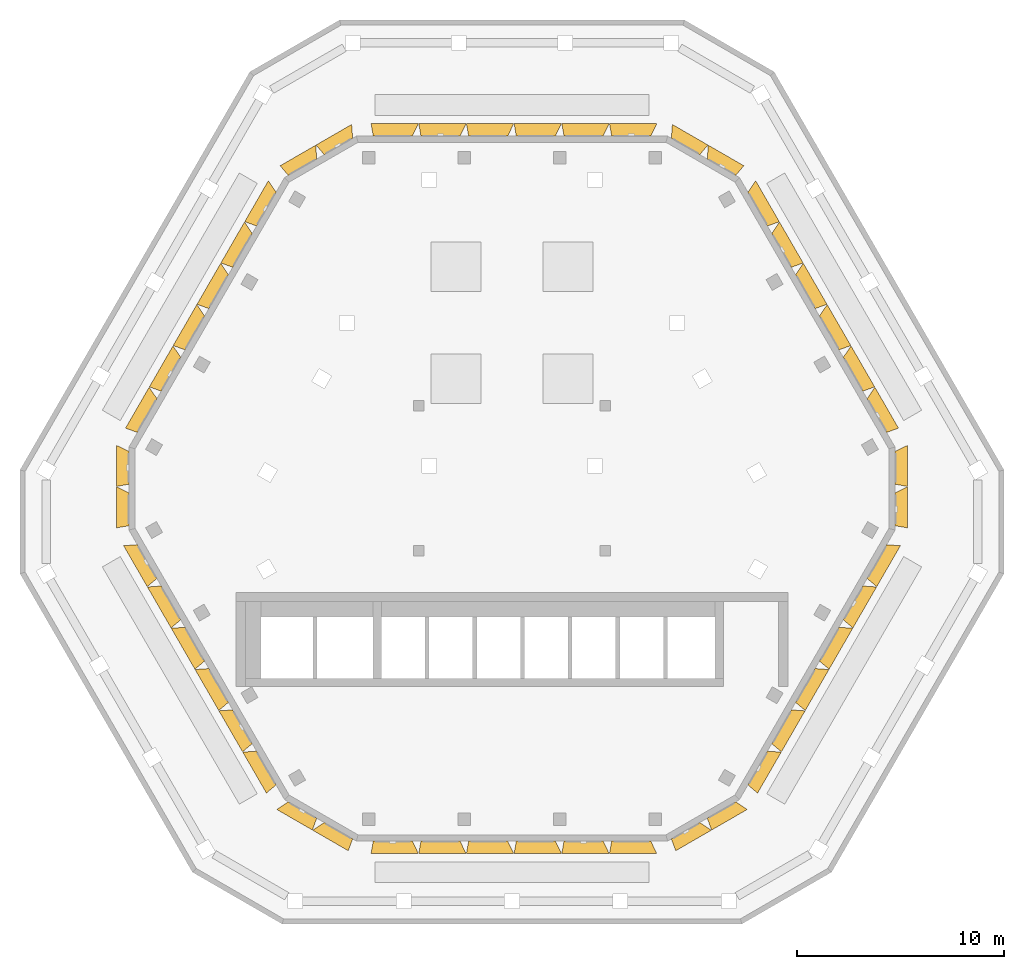
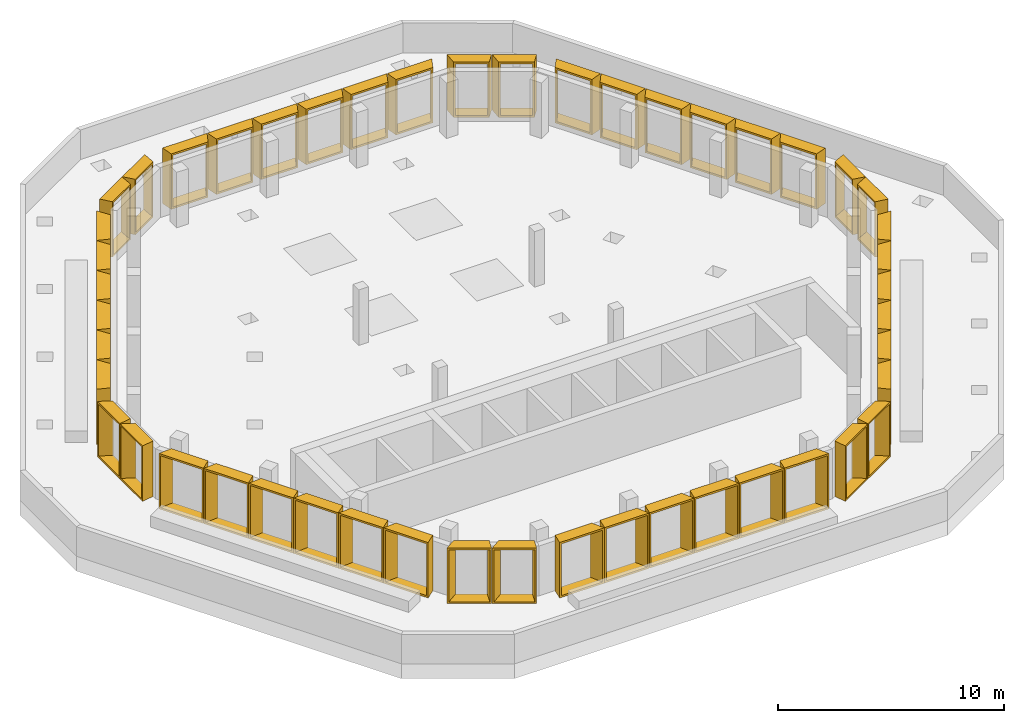
# One storey, part 4 of 5: 48 shading devices.
"""IFC4 building model written with IfcOpenShell, lengths in metres."""

from ifc_helpers import new_model, entity, si_unit, direction, frame, origin, place, context, subcontext, project, spatial, source, transform, mapped, material, type_object, type_shapes, element, save


model = new_model("IFC4")

# Units and contexts
model_context = context("Model", 3, precision=1e-05, world=origin(), true_north=direction((0.0, 1.0)))
body_context = subcontext(model_context, "Body", "Model", "MODEL_VIEW")
ifc_project = project(units=[si_unit("LENGTHUNIT", "METRE"), si_unit("AREAUNIT", "SQUARE_METRE"), si_unit("VOLUMEUNIT", "CUBIC_METRE"), si_unit("PLANEANGLEUNIT", "RADIAN"), si_unit("MASSUNIT", "GRAM", prefix="KILO")], contexts=[model_context])

# Site, building, storey
site_placement = place(None, origin())
site = spatial("IfcSite", under=ifc_project, at=site_placement, CompositionType="ELEMENT")
building_placement = place(site_placement, origin())
building = spatial("IfcBuilding", under=site, at=building_placement, Name="Beryl Residences", CompositionType="ELEMENT")
storey_placement = place(building_placement, frame((0.0, 0.0, 244.800048828125)))
storey = spatial("IfcBuildingStorey", under=building, at=storey_placement, Name="L76", CompositionType="ELEMENT", Elevation=244.800048828125)

# Shading devices
ifc_material_1 = material(Name="Aluminium pale anodised", Category="aluminium")
shading_device_type_1 = type_object("IfcShadingDeviceType", Name="FR200-60B OUTER SKIN frame 600 mm deep, splay 26/10 deg, 2000 x 3000 mm cell", PredefinedType="USERDEFINED", material=ifc_material_1)
cartesian_point_1 = entity("IfcCartesianPoint", [-0.79052734375, 0.0])
cartesian_point_2 = entity("IfcCartesianPoint", [-0.701416015625, 0.10009765625])
cartesian_point_3 = entity("IfcCartesianPoint", [-1.083251953125, 0.0])
cartesian_point_4 = entity("IfcCartesianPoint", [-0.994140625, 0.10009765625])
shared_shape_1 = source(origin(), body_context, "Body", "SweptSolid", [
    entity("IfcExtrudedAreaSolidTapered", entity("IfcArbitraryProfileDefWithVoids", "AREA", None, entity("IfcPolyline", [cartesian_point_1, entity("IfcCartesianPoint", [0.79052734375, 0.0]), entity("IfcCartesianPoint", [0.79052734375, 3.0]), entity("IfcCartesianPoint", [-0.79052734375, 3.0]), cartesian_point_1]), [entity("IfcPolyline", [cartesian_point_2, entity("IfcCartesianPoint", [0.709228515625, 0.10009765625]), entity("IfcCartesianPoint", [0.709228515625, 2.89990234375]), entity("IfcCartesianPoint", [-0.701416015625, 2.89990234375]), cartesian_point_2])]), entity("IfcAxis2Placement3D", entity("IfcCartesianPoint", [0.0, 0.0, 0.0]), entity("IfcDirection", [0.0, 1.0, 0.0]), entity("IfcDirection", [-1.0, 0.0, 0.0])), entity("IfcDirection", [0.0, 0.0, 1.0]), 0.60009765625, entity("IfcArbitraryProfileDefWithVoids", "AREA", None, entity("IfcPolyline", [cartesian_point_3, entity("IfcCartesianPoint", [0.896240234375, 0.0]), entity("IfcCartesianPoint", [0.896240234375, 3.0]), entity("IfcCartesianPoint", [-1.083251953125, 3.0]), cartesian_point_3]), [entity("IfcPolyline", [cartesian_point_4, entity("IfcCartesianPoint", [0.81494140625, 0.10009765625]), entity("IfcCartesianPoint", [0.81494140625, 2.89990234375]), entity("IfcCartesianPoint", [-0.994140625, 2.89990234375]), cartesian_point_4])])),
])
type_shapes(shading_device_type_1, [shared_shape_1])
for number, where, z_axis, x_axis, name in (
    (1, (-8.3720703125, 16.5, 0.0), (0.0, 0.0, 1.0), (0.866025403784, 0.5, 0.0), "FR200-60B frame L76 N-NW 1"),
    (2, (-10.10400390625, 15.5, 0.0), (0.0, 0.0, 1.0), (0.866025403784, 0.5, 0.0), "FR200-60B frame L76 N-NW 2"),
    (3, (-18.47509765625, 1.0, 0.0), (0.0, 0.0, 1.0), (0.0, 1.0, 0.0), "FR200-60B frame L76 NW-SW 1"),
    (4, (-18.47509765625, -1.0, 0.0), (0.0, 0.0, 1.0), (0.0, 1.0, 0.0), "FR200-60B frame L76 NW-SW 2"),
    (5, (-10.10400390625, -15.5, 0.0), (0.0, 0.0, 1.0), (-0.866025403784, 0.5, 0.0), "FR200-60B frame L76 SW-S 1"),
    (6, (-8.3720703125, -16.5, 0.0), (0.0, 0.0, 1.0), (-0.866025403784, 0.5, 0.0), "FR200-60B frame L76 SW-S 2"),
):
    element("IfcShadingDevice", number, at=place(storey_placement, frame(where, z_axis=z_axis, x_axis=x_axis)), inside=storey, type_object=shading_device_type_1, Name=name, ObjectType="OUTER SKIN", PredefinedType="USERDEFINED", context=body_context, shape_type="MappedRepresentation", body=[
        mapped(shared_shape_1, transform((0.0, 0.0, 0.0))),
    ])
ifc_material_2 = material(Name="Aluminium pale anodised", Category="aluminium")
shading_device_type_2 = type_object("IfcShadingDeviceType", Name="FR200-60C OUTER SKIN frame 600 mm deep, splay 10/26 deg, 2000 x 3000 mm cell", PredefinedType="USERDEFINED", material=ifc_material_2)
cartesian_point_5 = entity("IfcCartesianPoint", [-0.79052734375, 0.0])
cartesian_point_6 = entity("IfcCartesianPoint", [-0.709228515625, 0.10009765625])
cartesian_point_7 = entity("IfcCartesianPoint", [-0.896240234375, 0.0])
cartesian_point_8 = entity("IfcCartesianPoint", [-0.81494140625, 0.10009765625])
shared_shape_2 = source(origin(), body_context, "Body", "SweptSolid", [
    entity("IfcExtrudedAreaSolidTapered", entity("IfcArbitraryProfileDefWithVoids", "AREA", None, entity("IfcPolyline", [cartesian_point_5, entity("IfcCartesianPoint", [0.79052734375, 0.0]), entity("IfcCartesianPoint", [0.79052734375, 3.0]), entity("IfcCartesianPoint", [-0.79052734375, 3.0]), cartesian_point_5]), [entity("IfcPolyline", [cartesian_point_6, entity("IfcCartesianPoint", [0.701416015625, 0.10009765625]), entity("IfcCartesianPoint", [0.701416015625, 2.89990234375]), entity("IfcCartesianPoint", [-0.709228515625, 2.89990234375]), cartesian_point_6])]), entity("IfcAxis2Placement3D", entity("IfcCartesianPoint", [0.0, 0.0, 0.0]), entity("IfcDirection", [0.0, 1.0, 0.0]), entity("IfcDirection", [-1.0, 0.0, 0.0])), entity("IfcDirection", [0.0, 0.0, 1.0]), 0.60009765625, entity("IfcArbitraryProfileDefWithVoids", "AREA", None, entity("IfcPolyline", [cartesian_point_7, entity("IfcCartesianPoint", [1.083251953125, 0.0]), entity("IfcCartesianPoint", [1.083251953125, 3.0]), entity("IfcCartesianPoint", [-0.896240234375, 3.0]), cartesian_point_7]), [entity("IfcPolyline", [cartesian_point_8, entity("IfcCartesianPoint", [0.994140625, 0.10009765625]), entity("IfcCartesianPoint", [0.994140625, 2.89990234375]), entity("IfcCartesianPoint", [-0.81494140625, 2.89990234375]), cartesian_point_8])])),
])
type_shapes(shading_device_type_2, [shared_shape_2])
for number, where, z_axis, x_axis, name in (
    (7, (8.3720703125, -16.5, 0.0), (0.0, 0.0, 1.0), (-0.866025403784, -0.5, 0.0), "FR200-60C frame L76 S-SE 1"),
    (8, (10.10400390625, -15.5, 0.0), (0.0, 0.0, 1.0), (-0.866025403784, -0.5, 0.0), "FR200-60C frame L76 S-SE 2"),
    (9, (18.47509765625, -1.0, 0.0), (0.0, 0.0, 1.0), (0.0, -1.0, 0.0), "FR200-60C frame L76 SE-NE 1"),
    (10, (18.47509765625, 1.0, 0.0), (0.0, 0.0, 1.0), (0.0, -1.0, 0.0), "FR200-60C frame L76 SE-NE 2"),
    (11, (10.10400390625, 15.5, 0.0), (0.0, 0.0, 1.0), (0.866025403784, -0.5, 0.0), "FR200-60C frame L76 NE-N 1"),
    (12, (8.3720703125, 16.5, 0.0), (0.0, 0.0, 1.0), (0.866025403784, -0.5, 0.0), "FR200-60C frame L76 NE-N 2"),
):
    element("IfcShadingDevice", number, at=place(storey_placement, frame(where, z_axis=z_axis, x_axis=x_axis)), inside=storey, type_object=shading_device_type_2, Name=name, ObjectType="OUTER SKIN", PredefinedType="USERDEFINED", context=body_context, shape_type="MappedRepresentation", body=[
        mapped(shared_shape_2, transform((0.0, 0.0, 0.0))),
    ])
ifc_material_3 = material(Name="Aluminium pale anodised", Category="aluminium")
shading_device_type_3 = type_object("IfcShadingDeviceType", Name="FR230-60B OUTER SKIN frame 600 mm deep, splay 26/10 deg, 2300 x 3000 mm cell", PredefinedType="USERDEFINED", material=ifc_material_3)
cartesian_point_9 = entity("IfcCartesianPoint", [-0.9404296875, 0.0])
cartesian_point_10 = entity("IfcCartesianPoint", [-0.8515625, 0.10009765625])
cartesian_point_11 = entity("IfcCartesianPoint", [-1.233154296875, 0.0])
cartesian_point_12 = entity("IfcCartesianPoint", [-1.14404296875, 0.10009765625])
shared_shape_3 = source(origin(), body_context, "Body", "SweptSolid", [
    entity("IfcExtrudedAreaSolidTapered", entity("IfcArbitraryProfileDefWithVoids", "AREA", None, entity("IfcPolyline", [cartesian_point_9, entity("IfcCartesianPoint", [0.9404296875, 0.0]), entity("IfcCartesianPoint", [0.9404296875, 3.0]), entity("IfcCartesianPoint", [-0.9404296875, 3.0]), cartesian_point_9]), [entity("IfcPolyline", [cartesian_point_10, entity("IfcCartesianPoint", [0.859375, 0.10009765625]), entity("IfcCartesianPoint", [0.859375, 2.89990234375]), entity("IfcCartesianPoint", [-0.8515625, 2.89990234375]), cartesian_point_10])]), entity("IfcAxis2Placement3D", entity("IfcCartesianPoint", [0.0, 0.0, 0.0]), entity("IfcDirection", [0.0, 1.0, 0.0]), entity("IfcDirection", [-1.0, 0.0, 0.0])), entity("IfcDirection", [0.0, 0.0, 1.0]), 0.60009765625, entity("IfcArbitraryProfileDefWithVoids", "AREA", None, entity("IfcPolyline", [cartesian_point_11, entity("IfcCartesianPoint", [1.04638671875, 0.0]), entity("IfcCartesianPoint", [1.04638671875, 3.0]), entity("IfcCartesianPoint", [-1.233154296875, 3.0]), cartesian_point_11]), [entity("IfcPolyline", [cartesian_point_12, entity("IfcCartesianPoint", [0.965087890625, 0.10009765625]), entity("IfcCartesianPoint", [0.965087890625, 2.89990234375]), entity("IfcCartesianPoint", [-1.14404296875, 2.89990234375]), cartesian_point_12])])),
])
type_shapes(shading_device_type_3, [shared_shape_3])
for number, where, z_axis, x_axis, name in (
    (13, (5.75, 17.0, 0.0), (0.0, 0.0, 1.0), (1.0, 0.0, 0.0), "FR230-60B frame L76 N 1"),
    (14, (3.449951171875, 17.0, 0.0), (0.0, 0.0, 1.0), (1.0, 0.0, 0.0), "FR230-60B frame L76 N 2"),
    (15, (1.14990234375, 17.0, 0.0), (0.0, 0.0, 1.0), (1.0, 0.0, 0.0), "FR230-60B frame L76 N 3"),
    (16, (-1.14990234375, 17.0, 0.0), (0.0, 0.0, 1.0), (1.0, 0.0, 0.0), "FR230-60B frame L76 N 4"),
    (17, (-3.449951171875, 17.0, 0.0), (0.0, 0.0, 1.0), (1.0, 0.0, 0.0), "FR230-60B frame L76 N 5"),
    (18, (-5.75, 17.0, 0.0), (0.0, 0.0, 1.0), (1.0, 0.0, 0.0), "FR230-60B frame L76 N 6"),
    (19, (-11.847900390625, 13.47900390625, 0.0), (0.0, 0.0, 1.0), (0.5, 0.866025403784, 0.0), "FR230-60B frame L76 NW 1"),
    (20, (-12.998046875, 11.488037109375, 0.0), (0.0, 0.0, 1.0), (0.5, 0.866025403784, 0.0), "FR230-60B frame L76 NW 2"),
    (21, (-14.14794921875, 9.49609375, 0.0), (0.0, 0.0, 1.0), (0.5, 0.866025403784, 0.0), "FR230-60B frame L76 NW 3"),
    (22, (-15.298095703125, 7.5048828125, 0.0), (0.0, 0.0, 1.0), (0.5, 0.866025403784, 0.0), "FR230-60B frame L76 NW 4"),
    (23, (-16.447021484375, 5.512939453125, 0.0), (0.0, 0.0, 1.0), (0.5, 0.866025403784, 0.0), "FR230-60B frame L76 NW 5"),
    (24, (-17.596923828125, 3.52197265625, 0.0), (0.0, 0.0, 1.0), (0.5, 0.866025403784, 0.0), "FR230-60B frame L76 NW 6"),
    (25, (-17.597900390625, -3.52099609375, 0.0), (0.0, 0.0, 1.0), (-0.5, 0.866025403784, 0.0), "FR230-60B frame L76 SW 1"),
    (26, (-16.447998046875, -5.511962890625, 0.0), (0.0, 0.0, 1.0), (-0.5, 0.866025403784, 0.0), "FR230-60B frame L76 SW 2"),
    (27, (-15.298095703125, -7.50390625, 0.0), (0.0, 0.0, 1.0), (-0.5, 0.866025403784, 0.0), "FR230-60B frame L76 SW 3"),
    (28, (-14.14794921875, -9.4951171875, 0.0), (0.0, 0.0, 1.0), (-0.5, 0.866025403784, 0.0), "FR230-60B frame L76 SW 4"),
    (29, (-12.9990234375, -11.487060546875, 0.0), (0.0, 0.0, 1.0), (-0.5, 0.866025403784, 0.0), "FR230-60B frame L76 SW 5"),
    (30, (-11.84912109375, -13.47802734375, 0.0), (0.0, 0.0, 1.0), (-0.5, 0.866025403784, 0.0), "FR230-60B frame L76 SW 6"),
):
    element("IfcShadingDevice", number, at=place(storey_placement, frame(where, z_axis=z_axis, x_axis=x_axis)), inside=storey, type_object=shading_device_type_3, Name=name, ObjectType="OUTER SKIN", PredefinedType="USERDEFINED", context=body_context, shape_type="MappedRepresentation", body=[
        mapped(shared_shape_3, transform((0.0, 0.0, 0.0))),
    ])
ifc_material_4 = material(Name="Aluminium pale anodised", Category="aluminium")
shading_device_type_4 = type_object("IfcShadingDeviceType", Name="FR230-60C OUTER SKIN frame 600 mm deep, splay 10/26 deg, 2300 x 3000 mm cell", PredefinedType="USERDEFINED", material=ifc_material_4)
cartesian_point_13 = entity("IfcCartesianPoint", [-0.9404296875, 0.0])
cartesian_point_14 = entity("IfcCartesianPoint", [-0.859375, 0.10009765625])
cartesian_point_15 = entity("IfcCartesianPoint", [-1.04638671875, 0.0])
cartesian_point_16 = entity("IfcCartesianPoint", [-0.965087890625, 0.10009765625])
shared_shape_4 = source(origin(), body_context, "Body", "SweptSolid", [
    entity("IfcExtrudedAreaSolidTapered", entity("IfcArbitraryProfileDefWithVoids", "AREA", None, entity("IfcPolyline", [cartesian_point_13, entity("IfcCartesianPoint", [0.9404296875, 0.0]), entity("IfcCartesianPoint", [0.9404296875, 3.0]), entity("IfcCartesianPoint", [-0.9404296875, 3.0]), cartesian_point_13]), [entity("IfcPolyline", [cartesian_point_14, entity("IfcCartesianPoint", [0.8515625, 0.10009765625]), entity("IfcCartesianPoint", [0.8515625, 2.89990234375]), entity("IfcCartesianPoint", [-0.859375, 2.89990234375]), cartesian_point_14])]), entity("IfcAxis2Placement3D", entity("IfcCartesianPoint", [0.0, 0.0, 0.0]), entity("IfcDirection", [0.0, 1.0, 0.0]), entity("IfcDirection", [-1.0, 0.0, 0.0])), entity("IfcDirection", [0.0, 0.0, 1.0]), 0.60009765625, entity("IfcArbitraryProfileDefWithVoids", "AREA", None, entity("IfcPolyline", [cartesian_point_15, entity("IfcCartesianPoint", [1.233154296875, 0.0]), entity("IfcCartesianPoint", [1.233154296875, 3.0]), entity("IfcCartesianPoint", [-1.04638671875, 3.0]), cartesian_point_15]), [entity("IfcPolyline", [cartesian_point_16, entity("IfcCartesianPoint", [1.14404296875, 0.10009765625]), entity("IfcCartesianPoint", [1.14404296875, 2.89990234375]), entity("IfcCartesianPoint", [-0.965087890625, 2.89990234375]), cartesian_point_16])])),
])
type_shapes(shading_device_type_4, [shared_shape_4])
for number, where, z_axis, x_axis, name in (
    (31, (-5.75, -17.0, 0.0), (0.0, 0.0, 1.0), (-1.0, 0.0, 0.0), "FR230-60C frame L76 S 1"),
    (32, (-3.449951171875, -17.0, 0.0), (0.0, 0.0, 1.0), (-1.0, 0.0, 0.0), "FR230-60C frame L76 S 2"),
    (33, (-1.14990234375, -17.0, 0.0), (0.0, 0.0, 1.0), (-1.0, 0.0, 0.0), "FR230-60C frame L76 S 3"),
    (34, (1.14990234375, -17.0, 0.0), (0.0, 0.0, 1.0), (-1.0, 0.0, 0.0), "FR230-60C frame L76 S 4"),
    (35, (3.449951171875, -17.0, 0.0), (0.0, 0.0, 1.0), (-1.0, 0.0, 0.0), "FR230-60C frame L76 S 5"),
    (36, (5.75, -17.0, 0.0), (0.0, 0.0, 1.0), (-1.0, 0.0, 0.0), "FR230-60C frame L76 S 6"),
    (37, (11.847900390625, -13.47900390625, 0.0), (0.0, 0.0, 1.0), (-0.5, -0.866025403784, 0.0), "FR230-60C frame L76 SE 1"),
    (38, (12.998046875, -11.488037109375, 0.0), (0.0, 0.0, 1.0), (-0.5, -0.866025403784, 0.0), "FR230-60C frame L76 SE 2"),
    (39, (14.14794921875, -9.49609375, 0.0), (0.0, 0.0, 1.0), (-0.5, -0.866025403784, 0.0), "FR230-60C frame L76 SE 3"),
    (40, (15.298095703125, -7.5048828125, 0.0), (0.0, 0.0, 1.0), (-0.5, -0.866025403784, 0.0), "FR230-60C frame L76 SE 4"),
    (41, (16.447021484375, -5.512939453125, 0.0), (0.0, 0.0, 1.0), (-0.5, -0.866025403784, 0.0), "FR230-60C frame L76 SE 5"),
    (42, (17.596923828125, -3.52197265625, 0.0), (0.0, 0.0, 1.0), (-0.5, -0.866025403784, 0.0), "FR230-60C frame L76 SE 6"),
    (43, (17.597900390625, 3.52099609375, 0.0), (0.0, 0.0, 1.0), (0.5, -0.866025403784, 0.0), "FR230-60C frame L76 NE 1"),
    (44, (16.447998046875, 5.511962890625, 0.0), (0.0, 0.0, 1.0), (0.5, -0.866025403784, 0.0), "FR230-60C frame L76 NE 2"),
    (45, (15.298095703125, 7.50390625, 0.0), (0.0, 0.0, 1.0), (0.5, -0.866025403784, 0.0), "FR230-60C frame L76 NE 3"),
    (46, (14.14794921875, 9.4951171875, 0.0), (0.0, 0.0, 1.0), (0.5, -0.866025403784, 0.0), "FR230-60C frame L76 NE 4"),
    (47, (12.9990234375, 11.487060546875, 0.0), (0.0, 0.0, 1.0), (0.5, -0.866025403784, 0.0), "FR230-60C frame L76 NE 5"),
    (48, (11.84912109375, 13.47802734375, 0.0), (0.0, 0.0, 1.0), (0.5, -0.866025403784, 0.0), "FR230-60C frame L76 NE 6"),
):
    element("IfcShadingDevice", number, at=place(storey_placement, frame(where, z_axis=z_axis, x_axis=x_axis)), inside=storey, type_object=shading_device_type_4, Name=name, ObjectType="OUTER SKIN", PredefinedType="USERDEFINED", context=body_context, shape_type="MappedRepresentation", body=[
        mapped(shared_shape_4, transform((0.0, 0.0, 0.0))),
    ])

save(model, "model.ifc")
